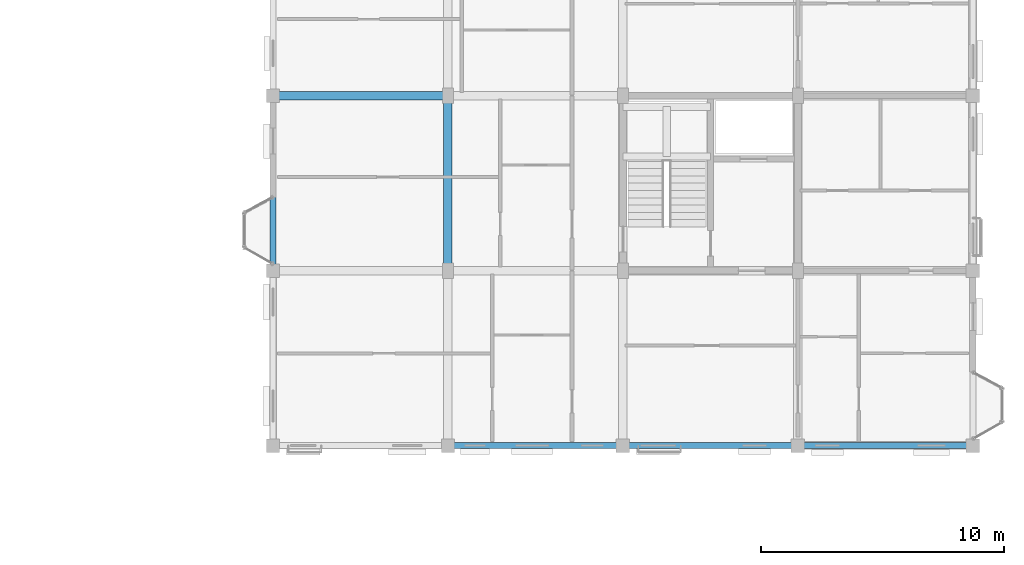
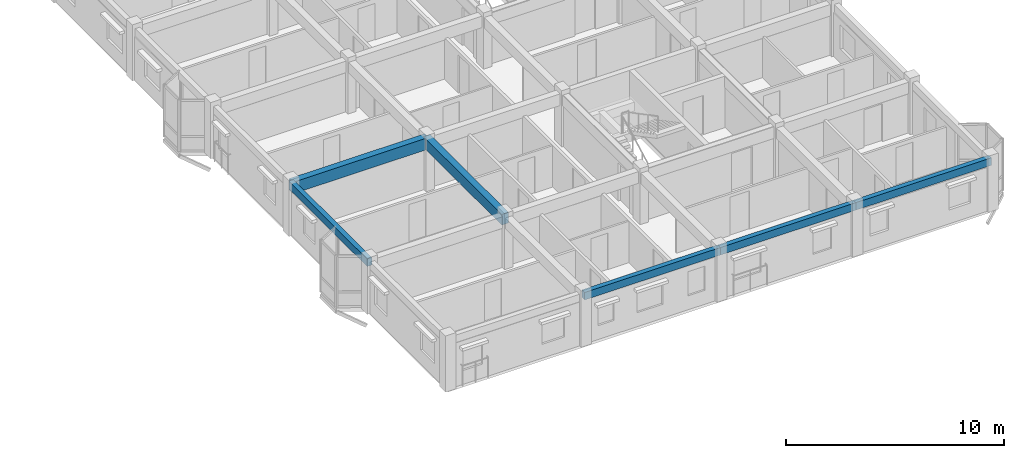
# One storey, part 22 of 79: 6 beams.
"""IFC4 building model written with IfcOpenShell, lengths in metres."""

from ifc_helpers import new_model, si_unit, direction, frame, origin, origin_2d, place, context, subcontext, project, spatial, rectangle, extrude, material, material_profile, profile_set, type_object, element, save


model = new_model("IFC4")

# Units and contexts
model_context = context("Model", 3, precision=1e-05, world=origin(), true_north=direction((0.0, 1.0)))
body_context = subcontext(model_context, "Body", "Model", "MODEL_VIEW")
ifc_project = project(units=[si_unit("LENGTHUNIT", "METRE"), si_unit("AREAUNIT", "SQUARE_METRE"), si_unit("VOLUMEUNIT", "CUBIC_METRE"), si_unit("PLANEANGLEUNIT", "RADIAN"), si_unit("MASSUNIT", "GRAM", prefix="KILO"), si_unit("THERMODYNAMICTEMPERATUREUNIT", "KELVIN"), si_unit("POWERUNIT", "WATT")], contexts=[model_context])

# Site, building, storey
site_placement = place(None, origin())
site = spatial("IfcSite", under=ifc_project, at=site_placement, CompositionType="ELEMENT")
building_placement = place(site_placement, origin())
building = spatial("IfcBuilding", under=site, at=building_placement, Name="Tavuni Mirador Residences", CompositionType="ELEMENT")
storey_placement = place(building_placement, frame((0.0, 0.0, 13.949951171875)))
storey = spatial("IfcBuildingStorey", under=building, at=storey_placement, Name="L04", CompositionType="ELEMENT", Elevation=13.949951171875)

# Beams
ifc_material = material(Name="Precast concrete C40/50", Category="concrete")
ifc_material_profile_1 = material_profile(ifc_material, rectangle(XDim=0.35009765625, YDim=0.60009765625, at=origin_2d()), Name="PC 350x600", Category="concrete")
ifc_profile_set_1 = profile_set([ifc_material_profile_1], Name="Precast concrete C40/50")
beam_type_1 = type_object("IfcBeamType", Name="BT-B600", PredefinedType="BEAM", material=ifc_profile_set_1)
beam_1_placement = place(storey_placement, frame((97.199951171875, 93.60009765625, 2.590087890625), z_axis=(0.0, 1.0, 0.0), x_axis=(-1.0, 0.0, 0.0)))
element("IfcBeam", 1, at=beam_1_placement, inside=storey, type_object=beam_type_1, Name="BMY-BLK-D-L04-01-01", PredefinedType="BEAM", context=body_context, shape_type="SweptSolid", body=[
    extrude(rectangle(XDim=0.35009765625, YDim=0.60009765625, at=origin_2d()), origin(), (0.0, 0.0, 1.0), 7.199951171875),
])
ifc_material_profile_2 = material_profile(ifc_material, rectangle(XDim=0.35009765625, YDim=0.64990234375, at=origin_2d()), Name="PC 350x650", Category="concrete")
ifc_profile_set_2 = profile_set([ifc_material_profile_2], Name="Precast concrete C40/50")
beam_type_2 = type_object("IfcBeamType", Name="BT-B650", PredefinedType="BEAM", material=ifc_profile_set_2)
beam_2_placement = place(storey_placement, frame((90.0, 100.800048828125, 2.56494140625), z_axis=(1.0, 0.0, 0.0), x_axis=(0.0, 1.0, 0.0)))
element("IfcBeam", 2, at=beam_2_placement, inside=storey, type_object=beam_type_2, Name="BMX-BLK-D-L04-00-02", PredefinedType="BEAM", context=body_context, shape_type="SweptSolid", body=[
    extrude(rectangle(XDim=0.35009765625, YDim=0.64990234375, at=origin_2d()), origin(), (0.0, 0.0, 1.0), 7.199951171875),
])
ifc_material_profile_3 = material_profile(ifc_material, rectangle(XDim=0.25, YDim=0.419921875, at=origin_2d()), Name="PC 250x420", Category="concrete")
ifc_profile_set_3 = profile_set([ifc_material_profile_3], Name="Precast concrete C40/50")
beam_type_3 = type_object("IfcBeamType", Name="BT-SP420", PredefinedType="SPANDREL", material=ifc_profile_set_3)
beam_3_placement = place(storey_placement, frame((97.199951171875, 86.39990234375, 2.679931640625), z_axis=(1.0, 0.0, 0.0), x_axis=(0.0, 1.0, 0.0)))
element("IfcBeam", 3, at=beam_3_placement, inside=storey, type_object=beam_type_3, Name="BMX-BLK-D-L04-01-00", PredefinedType="SPANDREL", context=body_context, shape_type="SweptSolid", body=[
    extrude(rectangle(XDim=0.25, YDim=0.419921875, at=origin_2d()), origin(), (0.0, 0.0, 1.0), 7.199951171875),
])
beam_4_placement = place(storey_placement, frame((104.39990234375, 86.39990234375, 2.679931640625), z_axis=(1.0, 0.0, 0.0), x_axis=(0.0, 1.0, 0.0)))
element("IfcBeam", 4, at=beam_4_placement, inside=storey, type_object=beam_type_3, Name="BMX-BLK-D-L04-02-00", PredefinedType="SPANDREL", context=body_context, shape_type="SweptSolid", body=[
    extrude(rectangle(XDim=0.25, YDim=0.419921875, at=origin_2d()), origin(), (0.0, 0.0, 1.0), 7.2001953125),
])
for number, where, z_axis, x_axis, name in (
    (5, (111.60009765625, 86.39990234375, 2.679931640625), (1.0, 0.0, 0.0), (0.0, 1.0, 0.0), "BMX-BLK-D-L04-03-00"),
    (6, (90.0, 93.60009765625, 2.679931640625), (0.0, 1.0, 0.0), (-1.0, 0.0, 0.0), "BMY-BLK-D-L04-00-01"),
):
    element("IfcBeam", number, at=place(storey_placement, frame(where, z_axis=z_axis, x_axis=x_axis)), inside=storey, type_object=beam_type_3, Name=name, PredefinedType="SPANDREL", context=body_context, shape_type="SweptSolid", body=[
        extrude(rectangle(XDim=0.25, YDim=0.419921875, at=origin_2d()), origin(), (0.0, 0.0, 1.0), 7.199951171875),
    ])

save(model, "model.ifc")
